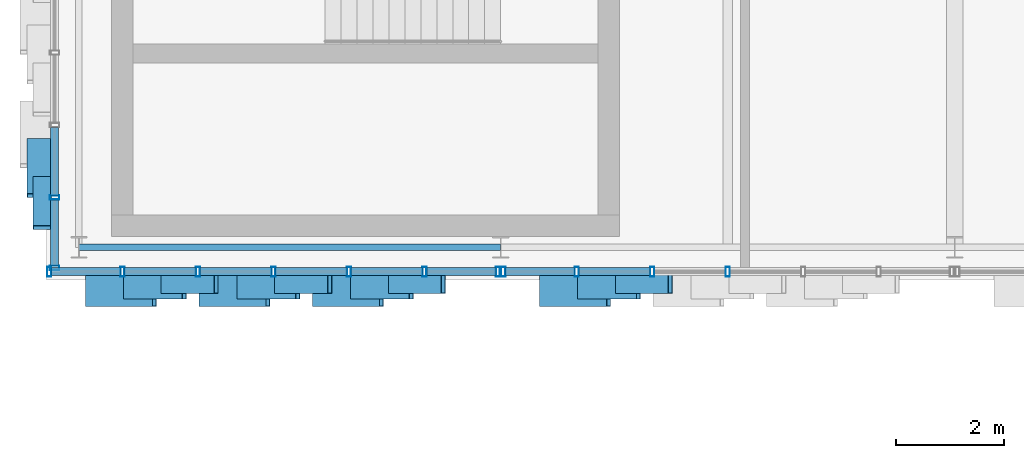
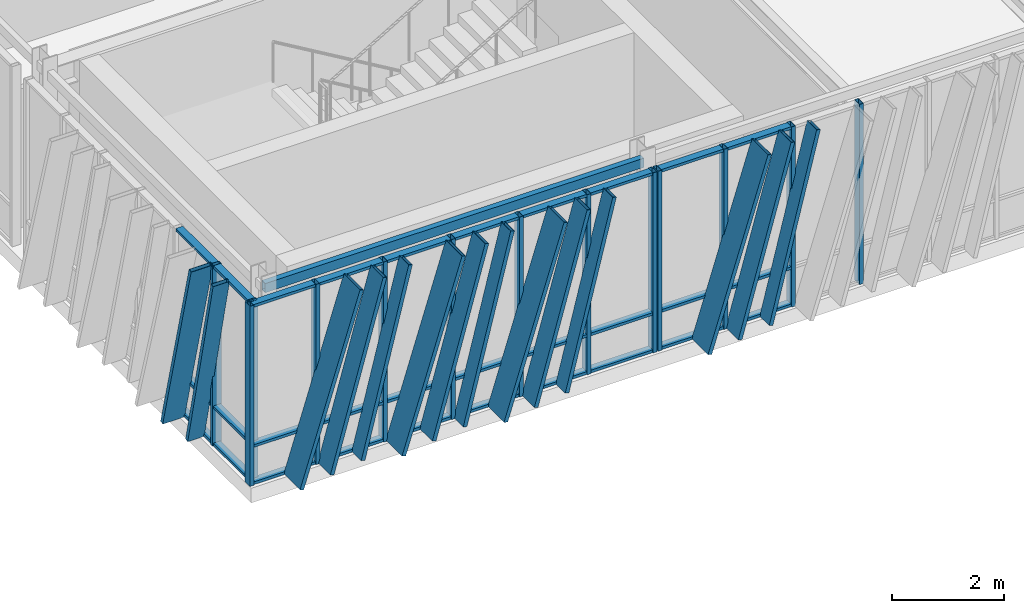
# One storey, part 21 of 127: 57 members, 1 beam, 3 elements without a shape of their own.
"""IFC4 building model written with IfcOpenShell, lengths in metres."""

import ifcopenshell
import ifcopenshell.guid

model = None  # the IFC model being written
_history = None  # IfcOwnerHistory: only IFC2X3 demands one
_inside = {}  # id of a spatial element -> (the spatial element, [elements in it])
_under = {}  # id of a project, library or spatial element -> (it, [spatial elements below it])
_declared = {}  # id of a project -> (the project, [libraries it declares])
_typed = {}  # id of a type object -> (the type object, [elements of that type])
_made_of = {}  # id of a material, layer set ... -> (it, [elements and type objects made of it])


def new_model(schema):
    """Start an empty IFC model of exactly this schema.

    Asked for "IFC4X3", IfcOpenShell would pick the latest addendum, in which some entities
    have other attributes; the version numbers below select the first issue.
    IFC2X3 requires an IfcOwnerHistory on every rooted entity: one is made here for all.
    """
    global model, _history
    if schema == "IFC4X3":
        model = ifcopenshell.file(schema_version=(4, 3, 0, 0))
    else:
        model = ifcopenshell.file(schema=schema)
    _inside.clear()
    _under.clear()
    _declared.clear()
    _typed.clear()
    _made_of.clear()
    _history = None
    if model.schema == "IFC2X3":
        org = make("IfcOrganization", Name="unknown")
        user = make(
            "IfcPersonAndOrganization",
            ThePerson=make("IfcPerson", FamilyName="unknown"),
            TheOrganization=org,
        )
        app = make(
            "IfcApplication",
            ApplicationDeveloper=org,
            Version="unknown",
            ApplicationFullName="unknown",
            ApplicationIdentifier="unknown",
        )
        _history = make(
            "IfcOwnerHistory",
            OwningUser=user,
            OwningApplication=app,
            ChangeAction="ADDED",
            CreationDate=0,
        )
    return model


def make(cls, **values):
    """One entity of the class cls with the attributes given. An attribute that is None is left unset."""
    return model.create_entity(
        cls, **{name: value for name, value in values.items() if value is not None}
    )


def rooted(cls, **values):
    """An entity with a GlobalId (a new one), such as an element, a storey or a relation."""
    return make(cls, GlobalId=ifcopenshell.guid.new(), OwnerHistory=_history, **values)


def si_unit(unit_type, name, prefix=None):
    """IfcSIUnit, for example si_unit("LENGTHUNIT", "METRE", prefix="MILLI")."""
    return make("IfcSIUnit", UnitType=unit_type, Prefix=prefix, Name=name)


def assignment(units):
    """IfcUnitAssignment: the units of a project."""
    return None if units is None else make("IfcUnitAssignment", Units=units)


def point(xyz):
    """IfcCartesianPoint."""
    return None if xyz is None else make("IfcCartesianPoint", Coordinates=xyz)


def direction(xyz):
    """IfcDirection."""
    return None if xyz is None else make("IfcDirection", DirectionRatios=xyz)


def frame(location, z_axis=None, x_axis=None):
    """IfcAxis2Placement3D, a coordinate frame: its origin and axes. An axis left out is left unset."""
    return make(
        "IfcAxis2Placement3D",
        Location=point(location),
        Axis=direction(z_axis),
        RefDirection=direction(x_axis),
    )


def frame_2d(location, x_axis=None):
    """IfcAxis2Placement2D, a coordinate frame in the plane: its origin and x axis."""
    return make(
        "IfcAxis2Placement2D", Location=point(location), RefDirection=direction(x_axis)
    )


def origin():
    """The frame at (0, 0, 0) with its axes left unset."""
    return frame((0.0, 0.0, 0.0))


def origin_2d():
    """The frame at (0, 0) in the plane with its x axis left unset."""
    return frame_2d((0.0, 0.0))


def place(relative_to, where):
    """IfcLocalPlacement: puts the frame where relative to a parent placement (None: the world)."""
    return make(
        "IfcLocalPlacement", PlacementRelTo=relative_to, RelativePlacement=where
    )


def context(
    kind, dimensions, precision=None, world=None, true_north=None, identifier=None
):
    """IfcGeometricRepresentationContext, for example the 3D "Model" context."""
    return make(
        "IfcGeometricRepresentationContext",
        ContextIdentifier=identifier,
        ContextType=kind,
        CoordinateSpaceDimension=dimensions,
        Precision=precision,
        WorldCoordinateSystem=world,
        TrueNorth=true_north,
    )


def subcontext(parent, identifier, kind, view, scale=None):
    """IfcGeometricRepresentationSubContext, for example "Body" below "Model"."""
    return make(
        "IfcGeometricRepresentationSubContext",
        ContextIdentifier=identifier,
        ContextType=kind,
        ParentContext=parent,
        TargetScale=scale,
        TargetView=view,
    )


def project(units=None, contexts=None):
    """IfcProject with its units and contexts."""
    return rooted(
        "IfcProject",
        Name="project",
        RepresentationContexts=contexts,
        UnitsInContext=assignment(units),
    )


def spatial(cls, under=None, at=None, **own):
    """A site, building, storey or space (cls), placed at a placement, below another one or the project."""
    s = rooted(cls, ObjectPlacement=at, **own)
    if under is not None:
        _under.setdefault(under.id(), (under, []))[1].append(s)
    return s


def profile(cls, at=None, kind="AREA", **sizes):
    """A parametric profile (cls). Its sizes go by their IFC names, for example OverallWidth=200.0."""
    return make(cls, ProfileType=kind, Position=at, **sizes)


def hollow_rectangle(**sizes):
    """IfcRectangleHollowProfileDef."""
    return profile("IfcRectangleHollowProfileDef", **sizes)


def extrude(swept, where, along, depth):
    """IfcExtrudedAreaSolid: the profile swept, set in the frame where, extruded along a direction by depth."""
    return make(
        "IfcExtrudedAreaSolid",
        SweptArea=swept,
        Position=where,
        ExtrudedDirection=direction(along),
        Depth=depth,
    )


def shape(context_of_items, identifier, shape_type, items):
    """IfcShapeRepresentation: the items that make up one representation, for example the "Body"."""
    return make(
        "IfcShapeRepresentation",
        ContextOfItems=context_of_items,
        RepresentationIdentifier=identifier,
        RepresentationType=shape_type,
        Items=items,
    )


def material(Name=None, Category=None):
    """IfcMaterial."""
    return make("IfcMaterial", Name=Name, Category=Category)


def layer(
    of_material, thickness, ventilated=None, Name=None, Category=None, Priority=None
):
    """IfcMaterialLayer: one layer of a wall or slab, of a material (None: an air gap)."""
    return make(
        "IfcMaterialLayer",
        Material=of_material,
        LayerThickness=thickness,
        IsVentilated=ventilated,
        Name=Name,
        Category=Category,
        Priority=Priority,
    )


def layer_set(layers, Name=None):
    """IfcMaterialLayerSet."""
    return make("IfcMaterialLayerSet", MaterialLayers=layers, LayerSetName=Name)


def material_profile(
    of_material, cross_section, Name=None, Category=None, Priority=None
):
    """IfcMaterialProfile: a cross section and its material."""
    return make(
        "IfcMaterialProfile",
        Name=Name,
        Material=of_material,
        Profile=cross_section,
        Priority=Priority,
        Category=Category,
    )


def profile_set(profiles, Name=None, composite=None):
    """IfcMaterialProfileSet."""
    return make(
        "IfcMaterialProfileSet",
        Name=Name,
        MaterialProfiles=profiles,
        CompositeProfile=composite,
    )


def made_of(thing, what):
    """Note that an element or type object is made of a material, layer set ...; save() writes the relation."""
    if what is not None:
        _made_of.setdefault(what.id(), (what, []))[1].append(thing)
    return thing


def type_object(cls, material=None, **own):
    """A type object (cls), such as IfcWallType, which elements share."""
    return made_of(rooted(cls, **own), material)


def element(
    cls,
    number,
    at=None,
    inside=None,
    cuts=None,
    type_object=None,
    material=None,
    context=None,
    identifier="Body",
    shape_type=None,
    held_by="IfcProductDefinitionShape",
    body=None,
    shapes=None,
    **own,
):
    """One element of the class cls, such as IfcWall. Its Tag is "e" and its number.

    at: its placement. inside: the storey or other place that contains it. cuts: it is an
    opening in that element (IfcRelVoidsElement). A single representation is given by context,
    identifier, shape_type and body (its items); several are given by shapes. held_by: the class
    of the entity that holds the representations. save() writes the other relations.
    """
    e = rooted(cls, Tag="e%d" % number, ObjectPlacement=at, **own)
    if body is not None:
        shapes = [shape(context, identifier, shape_type, body)]
    if shapes is not None:
        e.Representation = make(held_by, Representations=shapes)
    if inside is not None:
        _inside.setdefault(inside.id(), (inside, []))[1].append(e)
    if cuts is not None:
        rooted(
            "IfcRelVoidsElement", RelatingBuildingElement=cuts, RelatedOpeningElement=e
        )
    if type_object is not None:
        _typed.setdefault(type_object.id(), (type_object, []))[1].append(e)
    return made_of(e, material)


def aggregate(whole, parts):
    """IfcRelAggregates: a whole, such as a stair, and the parts it consists of."""
    return rooted("IfcRelAggregates", RelatingObject=whole, RelatedObjects=parts)


def save(model, path):
    """Write the relations noted so far, then the file.

    IfcRelAggregates (storeys below a building ...), IfcRelContainedInSpatialStructure (elements
    in a storey), IfcRelDefinesByType, IfcRelAssociatesMaterial and IfcRelDeclares: one each for
    every whole, place, type object, material and project.
    """
    for whole, parts in _under.values():
        aggregate(whole, parts)
    for where, things in _inside.values():
        rooted(
            "IfcRelContainedInSpatialStructure",
            RelatedElements=things,
            RelatingStructure=where,
        )
    for kind, things in _typed.values():
        rooted("IfcRelDefinesByType", RelatedObjects=things, RelatingType=kind)
    for what, things in _made_of.values():
        rooted("IfcRelAssociatesMaterial", RelatedObjects=things, RelatingMaterial=what)
    for by, libraries in _declared.values():
        rooted("IfcRelDeclares", RelatingContext=by, RelatedDefinitions=libraries)
    model.write(path)


model = new_model("IFC4")

# Units and contexts
model_context = context("Model", 3, precision=1e-05, world=origin(), true_north=direction((0.0, 1.0)))
body_context = subcontext(model_context, "Body", "Model", "MODEL_VIEW")
ifc_project = project(units=[si_unit("LENGTHUNIT", "METRE"), si_unit("AREAUNIT", "SQUARE_METRE"), si_unit("VOLUMEUNIT", "CUBIC_METRE"), si_unit("PLANEANGLEUNIT", "RADIAN"), si_unit("MASSUNIT", "GRAM", prefix="KILO")], contexts=[model_context])

# Site, building, storey
site_placement = place(None, origin())
site = spatial("IfcSite", under=ifc_project, at=site_placement, CompositionType="ELEMENT")
building_placement = place(site_placement, origin())
building = spatial("IfcBuilding", under=site, at=building_placement, Name="Zayran Congress Hotel", CompositionType="ELEMENT")
storey_placement = place(building_placement, frame((0.0, 0.0, 10.800048828125)))
storey = spatial("IfcBuildingStorey", under=building, at=storey_placement, Name="L02", CompositionType="ELEMENT", Elevation=10.800048828125)

# Beam
ifc_material_1 = material(Name="Steel S355", Category="steel")
ifc_material_profile_1 = material_profile(ifc_material_1, hollow_rectangle(XDim=0.1201171875, YDim=0.199951171875, WallThickness=0.008056640625, at=origin_2d()), Name="RHS 200x120x8")
ifc_profile_set_1 = profile_set([ifc_material_profile_1], Name="Steel S355")
beam_type = type_object("IfcBeamType", Name="TP-SP-02", PredefinedType="SPANDREL", material=ifc_profile_set_1)
beam_placement = place(storey_placement, frame((9.0, 68.199951171875, 3.820068359375), z_axis=(1.0, 0.0, 0.0), x_axis=(0.0, 1.0, 0.0)))
element("IfcBeam", 1, at=beam_placement, inside=storey, type_object=beam_type, Name="BM-V1-L02-0652", PredefinedType="SPANDREL", context=body_context, shape_type="SweptSolid", body=[
    extrude(hollow_rectangle(XDim=0.1201171875, YDim=0.199951171875, WallThickness=0.008056640625, at=origin_2d()), origin(), (0.0, 0.0, 1.0), 7.800048828125),
])

# Curtain wall, members
ifc_material_2 = material(Name="Anodised aluminium and low-E insulated glass", Category="aluminium")
ifc_layer_1 = layer(ifc_material_2, 0.179931640625)
ifc_layer_set_1 = layer_set([ifc_layer_1], Name="Anodised aluminium and low-E insulated glass")
curtain_wall_type_1 = type_object("IfcCurtainWallType", Name="CW-V1S-L02-CW-11-8380-3920", PredefinedType="USERDEFINED", material=ifc_layer_set_1)
curtain_wall_1_placement = place(storey_placement, origin())
curtain_wall_1 = element("IfcCurtainWall", 2, at=curtain_wall_1_placement, inside=storey, type_object=curtain_wall_type_1, Name="CW-V1S-L02-0", ObjectType="CURTAIN WALL", PredefinedType="USERDEFINED")
ifc_material_3 = material(Name="Anodised aluminium framing", Category="aluminium")
ifc_material_profile_2 = material_profile(ifc_material_3, hollow_rectangle(XDim=0.080078125, YDim=0.179931640625, WallThickness=0.0048828125, at=origin_2d()), Name="RHS 180x80x5")
ifc_profile_set_2 = profile_set([ifc_material_profile_2], Name="Anodised aluminium framing")
member_type_1 = type_object("IfcMemberType", Name="TP-CWM-01", PredefinedType="MULLION", material=ifc_profile_set_2)
member_1_placement = place(storey_placement, frame((8.449951171875, 67.75, 0.0), z_axis=(0.0, 0.0, 1.0), x_axis=(1.0, 0.0, 0.0)))
member_1 = element("IfcMember", 3, at=member_1_placement, type_object=member_type_1, Name="CW-V1S-L02-0-M00", PredefinedType="MULLION", context=body_context, shape_type="SweptSolid", body=[
    extrude(hollow_rectangle(XDim=0.080078125, YDim=0.179931640625, WallThickness=0.0048828125, at=origin_2d()), origin(), (0.0, 0.0, 1.0), 3.919921875),
])
member_2_placement = place(storey_placement, frame((9.806640625, 67.75, 0.0), z_axis=(0.0, 0.0, 1.0), x_axis=(1.0, 0.0, 0.0)))
member_2 = element("IfcMember", 4, at=member_2_placement, type_object=member_type_1, Name="CW-V1S-L02-0-M01", PredefinedType="MULLION", context=body_context, shape_type="SweptSolid", body=[
    extrude(hollow_rectangle(XDim=0.080078125, YDim=0.179931640625, WallThickness=0.0048828125, at=origin_2d()), origin(), (0.0, 0.0, 1.0), 3.919921875),
])
member_3_placement = place(storey_placement, frame((11.203369140625, 67.75, 0.0), z_axis=(0.0, 0.0, 1.0), x_axis=(1.0, 0.0, 0.0)))
member_3 = element("IfcMember", 5, at=member_3_placement, type_object=member_type_1, Name="CW-V1S-L02-0-M02", PredefinedType="MULLION", context=body_context, shape_type="SweptSolid", body=[
    extrude(hollow_rectangle(XDim=0.080078125, YDim=0.179931640625, WallThickness=0.0048828125, at=origin_2d()), origin(), (0.0, 0.0, 1.0), 3.919921875),
])
member_4_placement = place(storey_placement, frame((12.60009765625, 67.75, 0.0), z_axis=(0.0, 0.0, 1.0), x_axis=(1.0, 0.0, 0.0)))
member_4 = element("IfcMember", 6, at=member_4_placement, type_object=member_type_1, Name="CW-V1S-L02-0-M03", PredefinedType="MULLION", context=body_context, shape_type="SweptSolid", body=[
    extrude(hollow_rectangle(XDim=0.080078125, YDim=0.179931640625, WallThickness=0.0048828125, at=origin_2d()), origin(), (0.0, 0.0, 1.0), 3.919921875),
])
member_5_placement = place(storey_placement, frame((13.99658203125, 67.75, 0.0), z_axis=(0.0, 0.0, 1.0), x_axis=(1.0, 0.0, 0.0)))
member_5 = element("IfcMember", 7, at=member_5_placement, type_object=member_type_1, Name="CW-V1S-L02-0-M04", PredefinedType="MULLION", context=body_context, shape_type="SweptSolid", body=[
    extrude(hollow_rectangle(XDim=0.080078125, YDim=0.179931640625, WallThickness=0.0048828125, at=origin_2d()), origin(), (0.0, 0.0, 1.0), 3.919921875),
])
member_6_placement = place(storey_placement, frame((15.393310546875, 67.75, 0.0), z_axis=(0.0, 0.0, 1.0), x_axis=(1.0, 0.0, 0.0)))
member_6 = element("IfcMember", 8, at=member_6_placement, type_object=member_type_1, Name="CW-V1S-L02-0-M05", PredefinedType="MULLION", context=body_context, shape_type="SweptSolid", body=[
    extrude(hollow_rectangle(XDim=0.080078125, YDim=0.179931640625, WallThickness=0.0048828125, at=origin_2d()), origin(), (0.0, 0.0, 1.0), 3.919921875),
])
member_7_placement = place(storey_placement, frame((16.75, 67.75, 0.0), z_axis=(0.0, 0.0, 1.0), x_axis=(1.0, 0.0, 0.0)))
member_7 = element("IfcMember", 9, at=member_7_placement, type_object=member_type_1, Name="CW-V1S-L02-0-M06", PredefinedType="MULLION", context=body_context, shape_type="SweptSolid", body=[
    extrude(hollow_rectangle(XDim=0.080078125, YDim=0.179931640625, WallThickness=0.0048828125, at=origin_2d()), origin(), (0.0, 0.0, 1.0), 3.919921875),
])

ifc_layer_2 = layer(ifc_material_2, 0.179931640625)
ifc_layer_set_2 = layer_set([ifc_layer_2], Name="Anodised aluminium and low-E insulated glass")
curtain_wall_type_2 = type_object("IfcCurtainWallType", Name="CW-V1S-L02-CW-12-8380-3920", PredefinedType="USERDEFINED", material=ifc_layer_set_2)
curtain_wall_2_placement = place(storey_placement, origin())
curtain_wall_2 = element("IfcCurtainWall", 10, at=curtain_wall_2_placement, inside=storey, type_object=curtain_wall_type_2, Name="CW-V1S-L02-1", ObjectType="CURTAIN WALL", PredefinedType="USERDEFINED")
member_8_placement = place(storey_placement, frame((16.85009765625, 67.75, 0.0), z_axis=(0.0, 0.0, 1.0), x_axis=(1.0, 0.0, 0.0)))
member_8 = element("IfcMember", 11, at=member_8_placement, type_object=member_type_1, Name="CW-V1S-L02-1-M00", PredefinedType="MULLION", context=body_context, shape_type="SweptSolid", body=[
    extrude(hollow_rectangle(XDim=0.080078125, YDim=0.179931640625, WallThickness=0.0048828125, at=origin_2d()), origin(), (0.0, 0.0, 1.0), 3.919921875),
])
member_9_placement = place(storey_placement, frame((18.206787109375, 67.75, 0.0), z_axis=(0.0, 0.0, 1.0), x_axis=(1.0, 0.0, 0.0)))
member_9 = element("IfcMember", 12, at=member_9_placement, type_object=member_type_1, Name="CW-V1S-L02-1-M01", PredefinedType="MULLION", context=body_context, shape_type="SweptSolid", body=[
    extrude(hollow_rectangle(XDim=0.080078125, YDim=0.179931640625, WallThickness=0.0048828125, at=origin_2d()), origin(), (0.0, 0.0, 1.0), 3.919921875),
])
member_10_placement = place(storey_placement, frame((19.603271484375, 67.75, 0.0), z_axis=(0.0, 0.0, 1.0), x_axis=(1.0, 0.0, 0.0)))
member_10 = element("IfcMember", 13, at=member_10_placement, type_object=member_type_1, Name="CW-V1S-L02-1-M02", PredefinedType="MULLION", context=body_context, shape_type="SweptSolid", body=[
    extrude(hollow_rectangle(XDim=0.080078125, YDim=0.179931640625, WallThickness=0.0048828125, at=origin_2d()), origin(), (0.0, 0.0, 1.0), 3.919921875),
])
member_11_placement = place(storey_placement, frame((21.0, 67.75, 0.0), z_axis=(0.0, 0.0, 1.0), x_axis=(1.0, 0.0, 0.0)))
member_11 = element("IfcMember", 14, at=member_11_placement, type_object=member_type_1, Name="CW-V1S-L02-1-M03", PredefinedType="MULLION", context=body_context, shape_type="SweptSolid", body=[
    extrude(hollow_rectangle(XDim=0.080078125, YDim=0.179931640625, WallThickness=0.0048828125, at=origin_2d()), origin(), (0.0, 0.0, 1.0), 3.919921875),
])

ifc_layer_3 = layer(ifc_material_2, 0.179931640625)
ifc_layer_set_3 = layer_set([ifc_layer_3], Name="Anodised aluminium and low-E insulated glass")
curtain_wall_type_3 = type_object("IfcCurtainWallType", Name="CW-V1W-L02-CW-31-8040-3920", PredefinedType="USERDEFINED", material=ifc_layer_set_3)
curtain_wall_3_placement = place(storey_placement, origin())
curtain_wall_3 = element("IfcCurtainWall", 15, at=curtain_wall_3_placement, inside=storey, type_object=curtain_wall_type_3, Name="CW-V1W-L02-0", ObjectType="CURTAIN WALL", PredefinedType="USERDEFINED")
member_12_placement = place(storey_placement, frame((8.550048828125, 69.1201171875, 0.0), z_axis=(0.0, 0.0, 1.0), x_axis=(0.0, 1.0, 0.0)))
member_12 = element("IfcMember", 16, at=member_12_placement, type_object=member_type_1, Name="CW-V1W-L02-0-M05", PredefinedType="MULLION", context=body_context, shape_type="SweptSolid", body=[
    extrude(hollow_rectangle(XDim=0.080078125, YDim=0.179931640625, WallThickness=0.0048828125, at=origin_2d()), origin(), (0.0, 0.0, 1.0), 3.919921875),
])
member_13_placement = place(storey_placement, frame((8.550048828125, 67.820068359375, 0.0), z_axis=(0.0, 0.0, 1.0), x_axis=(0.0, 1.0, 0.0)))
member_13 = element("IfcMember", 17, at=member_13_placement, type_object=member_type_1, Name="CW-V1W-L02-0-M06", PredefinedType="MULLION", context=body_context, shape_type="SweptSolid", body=[
    extrude(hollow_rectangle(XDim=0.080078125, YDim=0.179931640625, WallThickness=0.0048828125, at=origin_2d()), origin(), (0.0, 0.0, 1.0), 3.919921875),
])

# Member
ifc_material_profile_3 = material_profile(ifc_material_3, hollow_rectangle(XDim=0.06005859375, YDim=0.14990234375, WallThickness=0.00390625, at=origin_2d()), Name="RHS 150x60x4")
ifc_profile_set_3 = profile_set([ifc_material_profile_3], Name="Anodised aluminium framing")
member_type_2 = type_object("IfcMemberType", Name="TP-CWT-01", PredefinedType="USERDEFINED", material=ifc_profile_set_3)
member_14_placement = place(storey_placement, frame((8.489990234375, 67.75, 0.030029296875), z_axis=(1.0, 0.0, 0.0), x_axis=(0.0, 0.0, 1.0)))
member_14 = element("IfcMember", 18, at=member_14_placement, type_object=member_type_2, Name="CW-V1S-L02-0-T00-0", ObjectType="TRANSOM", PredefinedType="USERDEFINED", context=body_context, shape_type="SweptSolid", body=[
    extrude(hollow_rectangle(XDim=0.06005859375, YDim=0.14990234375, WallThickness=0.00390625, at=origin_2d()), origin(), (0.0, 0.0, 1.0), 1.276611328125),
])

member_15_placement = place(storey_placement, frame((8.489990234375, 67.75, 0.83984375), z_axis=(1.0, 0.0, 0.0), x_axis=(0.0, 0.0, 1.0)))
member_15 = element("IfcMember", 19, at=member_15_placement, type_object=member_type_2, Name="CW-V1S-L02-0-T00-1", ObjectType="TRANSOM", PredefinedType="USERDEFINED", context=body_context, shape_type="SweptSolid", body=[
    extrude(hollow_rectangle(XDim=0.06005859375, YDim=0.14990234375, WallThickness=0.00390625, at=origin_2d()), origin(), (0.0, 0.0, 1.0), 1.276611328125),
])

member_16_placement = place(storey_placement, frame((8.489990234375, 67.75, 3.889892578125), z_axis=(1.0, 0.0, 0.0), x_axis=(0.0, 0.0, 1.0)))
member_16 = element("IfcMember", 20, at=member_16_placement, type_object=member_type_2, Name="CW-V1S-L02-0-T00-2", ObjectType="TRANSOM", PredefinedType="USERDEFINED", context=body_context, shape_type="SweptSolid", body=[
    extrude(hollow_rectangle(XDim=0.06005859375, YDim=0.14990234375, WallThickness=0.00390625, at=origin_2d()), origin(), (0.0, 0.0, 1.0), 1.276611328125),
])

member_17_placement = place(storey_placement, frame((9.8466796875, 67.75, 0.030029296875), z_axis=(1.0, 0.0, 0.0), x_axis=(0.0, 0.0, 1.0)))
member_17 = element("IfcMember", 21, at=member_17_placement, type_object=member_type_2, Name="CW-V1S-L02-0-T01-0", ObjectType="TRANSOM", PredefinedType="USERDEFINED", context=body_context, shape_type="SweptSolid", body=[
    extrude(hollow_rectangle(XDim=0.06005859375, YDim=0.14990234375, WallThickness=0.00390625, at=origin_2d()), origin(), (0.0, 0.0, 1.0), 1.316650390625),
])

member_18_placement = place(storey_placement, frame((9.8466796875, 67.75, 0.83984375), z_axis=(1.0, 0.0, 0.0), x_axis=(0.0, 0.0, 1.0)))
member_18 = element("IfcMember", 22, at=member_18_placement, type_object=member_type_2, Name="CW-V1S-L02-0-T01-1", ObjectType="TRANSOM", PredefinedType="USERDEFINED", context=body_context, shape_type="SweptSolid", body=[
    extrude(hollow_rectangle(XDim=0.06005859375, YDim=0.14990234375, WallThickness=0.00390625, at=origin_2d()), origin(), (0.0, 0.0, 1.0), 1.316650390625),
])

member_19_placement = place(storey_placement, frame((9.8466796875, 67.75, 3.889892578125), z_axis=(1.0, 0.0, 0.0), x_axis=(0.0, 0.0, 1.0)))
member_19 = element("IfcMember", 23, at=member_19_placement, type_object=member_type_2, Name="CW-V1S-L02-0-T01-2", ObjectType="TRANSOM", PredefinedType="USERDEFINED", context=body_context, shape_type="SweptSolid", body=[
    extrude(hollow_rectangle(XDim=0.06005859375, YDim=0.14990234375, WallThickness=0.00390625, at=origin_2d()), origin(), (0.0, 0.0, 1.0), 1.316650390625),
])

member_20_placement = place(storey_placement, frame((11.243408203125, 67.75, 0.030029296875), z_axis=(1.0, 0.0, 0.0), x_axis=(0.0, 0.0, 1.0)))
member_20 = element("IfcMember", 24, at=member_20_placement, type_object=member_type_2, Name="CW-V1S-L02-0-T02-0", ObjectType="TRANSOM", PredefinedType="USERDEFINED", context=body_context, shape_type="SweptSolid", body=[
    extrude(hollow_rectangle(XDim=0.06005859375, YDim=0.14990234375, WallThickness=0.00390625, at=origin_2d()), origin(), (0.0, 0.0, 1.0), 1.316650390625),
])

member_21_placement = place(storey_placement, frame((11.243408203125, 67.75, 0.83984375), z_axis=(1.0, 0.0, 0.0), x_axis=(0.0, 0.0, 1.0)))
member_21 = element("IfcMember", 25, at=member_21_placement, type_object=member_type_2, Name="CW-V1S-L02-0-T02-1", ObjectType="TRANSOM", PredefinedType="USERDEFINED", context=body_context, shape_type="SweptSolid", body=[
    extrude(hollow_rectangle(XDim=0.06005859375, YDim=0.14990234375, WallThickness=0.00390625, at=origin_2d()), origin(), (0.0, 0.0, 1.0), 1.316650390625),
])

member_22_placement = place(storey_placement, frame((11.243408203125, 67.75, 3.889892578125), z_axis=(1.0, 0.0, 0.0), x_axis=(0.0, 0.0, 1.0)))
member_22 = element("IfcMember", 26, at=member_22_placement, type_object=member_type_2, Name="CW-V1S-L02-0-T02-2", ObjectType="TRANSOM", PredefinedType="USERDEFINED", context=body_context, shape_type="SweptSolid", body=[
    extrude(hollow_rectangle(XDim=0.06005859375, YDim=0.14990234375, WallThickness=0.00390625, at=origin_2d()), origin(), (0.0, 0.0, 1.0), 1.316650390625),
])

member_23_placement = place(storey_placement, frame((12.639892578125, 67.75, 0.030029296875), z_axis=(1.0, 0.0, 0.0), x_axis=(0.0, 0.0, 1.0)))
member_23 = element("IfcMember", 27, at=member_23_placement, type_object=member_type_2, Name="CW-V1S-L02-0-T03-0", ObjectType="TRANSOM", PredefinedType="USERDEFINED", context=body_context, shape_type="SweptSolid", body=[
    extrude(hollow_rectangle(XDim=0.06005859375, YDim=0.14990234375, WallThickness=0.00390625, at=origin_2d()), origin(), (0.0, 0.0, 1.0), 1.31689453125),
])

member_24_placement = place(storey_placement, frame((12.639892578125, 67.75, 0.83984375), z_axis=(1.0, 0.0, 0.0), x_axis=(0.0, 0.0, 1.0)))
member_24 = element("IfcMember", 28, at=member_24_placement, type_object=member_type_2, Name="CW-V1S-L02-0-T03-1", ObjectType="TRANSOM", PredefinedType="USERDEFINED", context=body_context, shape_type="SweptSolid", body=[
    extrude(hollow_rectangle(XDim=0.06005859375, YDim=0.14990234375, WallThickness=0.00390625, at=origin_2d()), origin(), (0.0, 0.0, 1.0), 1.31689453125),
])

member_25_placement = place(storey_placement, frame((12.639892578125, 67.75, 3.889892578125), z_axis=(1.0, 0.0, 0.0), x_axis=(0.0, 0.0, 1.0)))
member_25 = element("IfcMember", 29, at=member_25_placement, type_object=member_type_2, Name="CW-V1S-L02-0-T03-2", ObjectType="TRANSOM", PredefinedType="USERDEFINED", context=body_context, shape_type="SweptSolid", body=[
    extrude(hollow_rectangle(XDim=0.06005859375, YDim=0.14990234375, WallThickness=0.00390625, at=origin_2d()), origin(), (0.0, 0.0, 1.0), 1.31689453125),
])

member_26_placement = place(storey_placement, frame((14.03662109375, 67.75, 0.030029296875), z_axis=(1.0, 0.0, 0.0), x_axis=(0.0, 0.0, 1.0)))
member_26 = element("IfcMember", 30, at=member_26_placement, type_object=member_type_2, Name="CW-V1S-L02-0-T04-0", ObjectType="TRANSOM", PredefinedType="USERDEFINED", context=body_context, shape_type="SweptSolid", body=[
    extrude(hollow_rectangle(XDim=0.06005859375, YDim=0.14990234375, WallThickness=0.00390625, at=origin_2d()), origin(), (0.0, 0.0, 1.0), 1.316650390625),
])

member_27_placement = place(storey_placement, frame((14.03662109375, 67.75, 0.83984375), z_axis=(1.0, 0.0, 0.0), x_axis=(0.0, 0.0, 1.0)))
member_27 = element("IfcMember", 31, at=member_27_placement, type_object=member_type_2, Name="CW-V1S-L02-0-T04-1", ObjectType="TRANSOM", PredefinedType="USERDEFINED", context=body_context, shape_type="SweptSolid", body=[
    extrude(hollow_rectangle(XDim=0.06005859375, YDim=0.14990234375, WallThickness=0.00390625, at=origin_2d()), origin(), (0.0, 0.0, 1.0), 1.316650390625),
])

member_28_placement = place(storey_placement, frame((14.03662109375, 67.75, 3.889892578125), z_axis=(1.0, 0.0, 0.0), x_axis=(0.0, 0.0, 1.0)))
member_28 = element("IfcMember", 32, at=member_28_placement, type_object=member_type_2, Name="CW-V1S-L02-0-T04-2", ObjectType="TRANSOM", PredefinedType="USERDEFINED", context=body_context, shape_type="SweptSolid", body=[
    extrude(hollow_rectangle(XDim=0.06005859375, YDim=0.14990234375, WallThickness=0.00390625, at=origin_2d()), origin(), (0.0, 0.0, 1.0), 1.316650390625),
])

member_29_placement = place(storey_placement, frame((15.433349609375, 67.75, 0.030029296875), z_axis=(1.0, 0.0, 0.0), x_axis=(0.0, 0.0, 1.0)))
member_29 = element("IfcMember", 33, at=member_29_placement, type_object=member_type_2, Name="CW-V1S-L02-0-T05-0", ObjectType="TRANSOM", PredefinedType="USERDEFINED", context=body_context, shape_type="SweptSolid", body=[
    extrude(hollow_rectangle(XDim=0.06005859375, YDim=0.14990234375, WallThickness=0.00390625, at=origin_2d()), origin(), (0.0, 0.0, 1.0), 1.276611328125),
])

member_30_placement = place(storey_placement, frame((15.433349609375, 67.75, 0.83984375), z_axis=(1.0, 0.0, 0.0), x_axis=(0.0, 0.0, 1.0)))
member_30 = element("IfcMember", 34, at=member_30_placement, type_object=member_type_2, Name="CW-V1S-L02-0-T05-1", ObjectType="TRANSOM", PredefinedType="USERDEFINED", context=body_context, shape_type="SweptSolid", body=[
    extrude(hollow_rectangle(XDim=0.06005859375, YDim=0.14990234375, WallThickness=0.00390625, at=origin_2d()), origin(), (0.0, 0.0, 1.0), 1.276611328125),
])

member_31_placement = place(storey_placement, frame((15.433349609375, 67.75, 3.889892578125), z_axis=(1.0, 0.0, 0.0), x_axis=(0.0, 0.0, 1.0)))
member_31 = element("IfcMember", 35, at=member_31_placement, type_object=member_type_2, Name="CW-V1S-L02-0-T05-2", ObjectType="TRANSOM", PredefinedType="USERDEFINED", context=body_context, shape_type="SweptSolid", body=[
    extrude(hollow_rectangle(XDim=0.06005859375, YDim=0.14990234375, WallThickness=0.00390625, at=origin_2d()), origin(), (0.0, 0.0, 1.0), 1.276611328125),
])

member_32_placement = place(storey_placement, frame((16.889892578125, 67.75, 0.030029296875), z_axis=(1.0, 0.0, 0.0), x_axis=(0.0, 0.0, 1.0)))
member_32 = element("IfcMember", 36, at=member_32_placement, type_object=member_type_2, Name="CW-V1S-L02-1-T00-0", ObjectType="TRANSOM", PredefinedType="USERDEFINED", context=body_context, shape_type="SweptSolid", body=[
    extrude(hollow_rectangle(XDim=0.06005859375, YDim=0.14990234375, WallThickness=0.00390625, at=origin_2d()), origin(), (0.0, 0.0, 1.0), 1.27685546875),
])

member_33_placement = place(storey_placement, frame((16.889892578125, 67.75, 0.83984375), z_axis=(1.0, 0.0, 0.0), x_axis=(0.0, 0.0, 1.0)))
member_33 = element("IfcMember", 37, at=member_33_placement, type_object=member_type_2, Name="CW-V1S-L02-1-T00-1", ObjectType="TRANSOM", PredefinedType="USERDEFINED", context=body_context, shape_type="SweptSolid", body=[
    extrude(hollow_rectangle(XDim=0.06005859375, YDim=0.14990234375, WallThickness=0.00390625, at=origin_2d()), origin(), (0.0, 0.0, 1.0), 1.27685546875),
])

member_34_placement = place(storey_placement, frame((16.889892578125, 67.75, 3.889892578125), z_axis=(1.0, 0.0, 0.0), x_axis=(0.0, 0.0, 1.0)))
member_34 = element("IfcMember", 38, at=member_34_placement, type_object=member_type_2, Name="CW-V1S-L02-1-T00-2", ObjectType="TRANSOM", PredefinedType="USERDEFINED", context=body_context, shape_type="SweptSolid", body=[
    extrude(hollow_rectangle(XDim=0.06005859375, YDim=0.14990234375, WallThickness=0.00390625, at=origin_2d()), origin(), (0.0, 0.0, 1.0), 1.27685546875),
])

member_35_placement = place(storey_placement, frame((18.24658203125, 67.75, 0.030029296875), z_axis=(1.0, 0.0, 0.0), x_axis=(0.0, 0.0, 1.0)))
member_35 = element("IfcMember", 39, at=member_35_placement, type_object=member_type_2, Name="CW-V1S-L02-1-T01-0", ObjectType="TRANSOM", PredefinedType="USERDEFINED", context=body_context, shape_type="SweptSolid", body=[
    extrude(hollow_rectangle(XDim=0.06005859375, YDim=0.14990234375, WallThickness=0.00390625, at=origin_2d()), origin(), (0.0, 0.0, 1.0), 1.316650390625),
])

member_36_placement = place(storey_placement, frame((18.24658203125, 67.75, 0.83984375), z_axis=(1.0, 0.0, 0.0), x_axis=(0.0, 0.0, 1.0)))
member_36 = element("IfcMember", 40, at=member_36_placement, type_object=member_type_2, Name="CW-V1S-L02-1-T01-1", ObjectType="TRANSOM", PredefinedType="USERDEFINED", context=body_context, shape_type="SweptSolid", body=[
    extrude(hollow_rectangle(XDim=0.06005859375, YDim=0.14990234375, WallThickness=0.00390625, at=origin_2d()), origin(), (0.0, 0.0, 1.0), 1.316650390625),
])

member_37_placement = place(storey_placement, frame((18.24658203125, 67.75, 3.889892578125), z_axis=(1.0, 0.0, 0.0), x_axis=(0.0, 0.0, 1.0)))
member_37 = element("IfcMember", 41, at=member_37_placement, type_object=member_type_2, Name="CW-V1S-L02-1-T01-2", ObjectType="TRANSOM", PredefinedType="USERDEFINED", context=body_context, shape_type="SweptSolid", body=[
    extrude(hollow_rectangle(XDim=0.06005859375, YDim=0.14990234375, WallThickness=0.00390625, at=origin_2d()), origin(), (0.0, 0.0, 1.0), 1.316650390625),
])

member_38_placement = place(storey_placement, frame((8.550048828125, 70.419921875, 0.030029296875), z_axis=(0.0, -1.0, 0.0), x_axis=(0.0, 0.0, 1.0)))
member_38 = element("IfcMember", 42, at=member_38_placement, type_object=member_type_2, Name="CW-V1W-L02-0-T04-0", ObjectType="TRANSOM", PredefinedType="USERDEFINED", context=body_context, shape_type="SweptSolid", body=[
    extrude(hollow_rectangle(XDim=0.06005859375, YDim=0.14990234375, WallThickness=0.00390625, at=origin_2d()), origin(), (0.0, 0.0, 1.0), 1.260009765625),
])

member_39_placement = place(storey_placement, frame((8.550048828125, 70.419921875, 0.83984375), z_axis=(0.0, -1.0, 0.0), x_axis=(0.0, 0.0, 1.0)))
member_39 = element("IfcMember", 43, at=member_39_placement, type_object=member_type_2, Name="CW-V1W-L02-0-T04-1", ObjectType="TRANSOM", PredefinedType="USERDEFINED", context=body_context, shape_type="SweptSolid", body=[
    extrude(hollow_rectangle(XDim=0.06005859375, YDim=0.14990234375, WallThickness=0.00390625, at=origin_2d()), origin(), (0.0, 0.0, 1.0), 1.260009765625),
])

member_40_placement = place(storey_placement, frame((8.550048828125, 70.419921875, 3.889892578125), z_axis=(0.0, -1.0, 0.0), x_axis=(0.0, 0.0, 1.0)))
member_40 = element("IfcMember", 44, at=member_40_placement, type_object=member_type_2, Name="CW-V1W-L02-0-T04-2", ObjectType="TRANSOM", PredefinedType="USERDEFINED", context=body_context, shape_type="SweptSolid", body=[
    extrude(hollow_rectangle(XDim=0.06005859375, YDim=0.14990234375, WallThickness=0.00390625, at=origin_2d()), origin(), (0.0, 0.0, 1.0), 1.260009765625),
])

member_41_placement = place(storey_placement, frame((8.550048828125, 69.080078125, 0.030029296875), z_axis=(0.0, -1.0, 0.0), x_axis=(0.0, 0.0, 1.0)))
member_41 = element("IfcMember", 45, at=member_41_placement, type_object=member_type_2, Name="CW-V1W-L02-0-T05-0", ObjectType="TRANSOM", PredefinedType="USERDEFINED", context=body_context, shape_type="SweptSolid", body=[
    extrude(hollow_rectangle(XDim=0.06005859375, YDim=0.14990234375, WallThickness=0.00390625, at=origin_2d()), origin(), (0.0, 0.0, 1.0), 1.219970703125),
])

member_42_placement = place(storey_placement, frame((8.550048828125, 69.080078125, 0.83984375), z_axis=(0.0, -1.0, 0.0), x_axis=(0.0, 0.0, 1.0)))
member_42 = element("IfcMember", 46, at=member_42_placement, type_object=member_type_2, Name="CW-V1W-L02-0-T05-1", ObjectType="TRANSOM", PredefinedType="USERDEFINED", context=body_context, shape_type="SweptSolid", body=[
    extrude(hollow_rectangle(XDim=0.06005859375, YDim=0.14990234375, WallThickness=0.00390625, at=origin_2d()), origin(), (0.0, 0.0, 1.0), 1.219970703125),
])

member_43_placement = place(storey_placement, frame((8.550048828125, 69.080078125, 3.889892578125), z_axis=(0.0, -1.0, 0.0), x_axis=(0.0, 0.0, 1.0)))
member_43 = element("IfcMember", 47, at=member_43_placement, type_object=member_type_2, Name="CW-V1W-L02-0-T05-2", ObjectType="TRANSOM", PredefinedType="USERDEFINED", context=body_context, shape_type="SweptSolid", body=[
    extrude(hollow_rectangle(XDim=0.06005859375, YDim=0.14990234375, WallThickness=0.00390625, at=origin_2d()), origin(), (0.0, 0.0, 1.0), 1.219970703125),
])

ifc_material_4 = material(Name="Warm bronze anodised aluminium", Category="aluminium")
ifc_material_profile_4 = material_profile(ifc_material_4, hollow_rectangle(XDim=0.080078125, YDim=0.580078125, WallThickness=0.006103515625, at=origin_2d()), Name="RHS 580x80x6")
ifc_profile_set_4 = profile_set([ifc_material_profile_4], Name="Warm bronze anodised aluminium")
member_type_3 = type_object("IfcMemberType", Name="TP-RFN-01", PredefinedType="MULLION", material=ifc_profile_set_4)
member_44_placement = place(storey_placement, frame((9.159912109375, 67.39990234375, 0.0), z_axis=(0.300736197829, 0.0, 0.953707365661), x_axis=(-0.953707365661, 0.0, 0.300736197829)))
member_44 = element("IfcMember", 48, at=member_44_placement, type_object=member_type_3, Name="Slanting Reed Mullion CW-11-01", PredefinedType="MULLION", context=body_context, shape_type="SweptSolid", body=[
    extrude(hollow_rectangle(XDim=0.080078125, YDim=0.580078125, WallThickness=0.006103515625, at=origin_2d()), origin(), (0.0, 0.0, 1.0), 4.110107421875),
])

member_45_placement = place(storey_placement, frame((11.260009765625, 67.39990234375, 0.0), z_axis=(0.300736197829, 0.0, 0.953707365661), x_axis=(-0.953707365661, 0.0, 0.300736197829)))
member_45 = element("IfcMember", 49, at=member_45_placement, type_object=member_type_3, Name="Slanting Reed Mullion CW-11-04", PredefinedType="MULLION", context=body_context, shape_type="SweptSolid", body=[
    extrude(hollow_rectangle(XDim=0.080078125, YDim=0.580078125, WallThickness=0.006103515625, at=origin_2d()), origin(), (0.0, 0.0, 1.0), 4.110107421875),
])

member_46_placement = place(storey_placement, frame((13.360107421875, 67.39990234375, 0.0), z_axis=(0.30068216973, 0.0, 0.953724400866), x_axis=(-0.953724400866, 0.0, 0.30068216973)))
member_46 = element("IfcMember", 50, at=member_46_placement, type_object=member_type_3, Name="Slanting Reed Mullion CW-11-07", PredefinedType="MULLION", context=body_context, shape_type="SweptSolid", body=[
    extrude(hollow_rectangle(XDim=0.080078125, YDim=0.580078125, WallThickness=0.006103515625, at=origin_2d()), origin(), (0.0, 0.0, 1.0), 4.110107421875),
])

member_47_placement = place(storey_placement, frame((17.56005859375, 67.39990234375, 0.0), z_axis=(0.30068216973, 0.0, 0.953724400866), x_axis=(-0.953724400866, 0.0, 0.30068216973)))
member_47 = element("IfcMember", 51, at=member_47_placement, type_object=member_type_3, Name="Slanting Reed Mullion CW-12-01", PredefinedType="MULLION", context=body_context, shape_type="SweptSolid", body=[
    extrude(hollow_rectangle(XDim=0.080078125, YDim=0.580078125, WallThickness=0.006103515625, at=origin_2d()), origin(), (0.0, 0.0, 1.0), 4.110107421875),
])

ifc_material_profile_5 = material_profile(ifc_material_4, hollow_rectangle(XDim=0.080078125, YDim=0.449951171875, WallThickness=0.006103515625, at=origin_2d()), Name="RHS 450x80x6")
ifc_profile_set_5 = profile_set([ifc_material_profile_5], Name="Warm bronze anodised aluminium")
member_type_4 = type_object("IfcMemberType", Name="TP-RFN-02", PredefinedType="MULLION", material=ifc_profile_set_5)
member_48_placement = place(storey_placement, frame((9.860107421875, 67.465087890625, 0.0), z_axis=(0.26719808883, 0.0, 0.963641624944), x_axis=(-0.963641624944, 0.0, 0.26719808883)))
member_48 = element("IfcMember", 52, at=member_48_placement, type_object=member_type_4, Name="Slanting Reed Mullion CW-11-02", PredefinedType="MULLION", context=body_context, shape_type="SweptSolid", body=[
    extrude(hollow_rectangle(XDim=0.080078125, YDim=0.449951171875, WallThickness=0.006103515625, at=origin_2d()), origin(), (0.0, 0.0, 1.0), 4.06787109375),
])

member_49_placement = place(storey_placement, frame((11.9599609375, 67.465087890625, 0.0), z_axis=(0.267253820088, 0.0, 0.963626170072), x_axis=(-0.963626170072, 0.0, 0.267253820088)))
member_49 = element("IfcMember", 53, at=member_49_placement, type_object=member_type_4, Name="Slanting Reed Mullion CW-11-05", PredefinedType="MULLION", context=body_context, shape_type="SweptSolid", body=[
    extrude(hollow_rectangle(XDim=0.080078125, YDim=0.449951171875, WallThickness=0.006103515625, at=origin_2d()), origin(), (0.0, 0.0, 1.0), 4.06787109375),
])

member_50_placement = place(storey_placement, frame((14.06005859375, 67.465087890625, 0.0), z_axis=(0.267253820088, 0.0, 0.963626170072), x_axis=(-0.963626170072, 0.0, 0.267253820088)))
member_50 = element("IfcMember", 54, at=member_50_placement, type_object=member_type_4, Name="Slanting Reed Mullion CW-11-08", PredefinedType="MULLION", context=body_context, shape_type="SweptSolid", body=[
    extrude(hollow_rectangle(XDim=0.080078125, YDim=0.449951171875, WallThickness=0.006103515625, at=origin_2d()), origin(), (0.0, 0.0, 1.0), 4.06787109375),
])

member_51_placement = place(storey_placement, frame((18.260009765625, 67.465087890625, 0.0), z_axis=(0.267253820088, 0.0, 0.963626170072), x_axis=(-0.963626170072, 0.0, 0.267253820088)))
member_51 = element("IfcMember", 55, at=member_51_placement, type_object=member_type_4, Name="Slanting Reed Mullion CW-12-02", PredefinedType="MULLION", context=body_context, shape_type="SweptSolid", body=[
    extrude(hollow_rectangle(XDim=0.080078125, YDim=0.449951171875, WallThickness=0.006103515625, at=origin_2d()), origin(), (0.0, 0.0, 1.0), 4.06787109375),
])

member_52_placement = place(storey_placement, frame((8.264892578125, 70.169921875, 0.0), z_axis=(0.0, -0.25035943501, 0.968152959662), x_axis=(0.0, 0.968152959662, 0.25035943501)))
member_52 = element("IfcMember", 56, at=member_52_placement, type_object=member_type_4, Name="Slanting Reed Mullion CW-31-08", PredefinedType="MULLION", context=body_context, shape_type="SweptSolid", body=[
    extrude(hollow_rectangle(XDim=0.080078125, YDim=0.449951171875, WallThickness=0.006103515625, at=origin_2d()), origin(), (0.0, 0.0, 1.0), 4.048828125),
])

ifc_material_profile_6 = material_profile(ifc_material_4, hollow_rectangle(XDim=0.080078125, YDim=0.340087890625, WallThickness=0.006103515625, at=origin_2d()), Name="RHS 340x80x6")
ifc_profile_set_6 = profile_set([ifc_material_profile_6], Name="Warm bronze anodised aluminium")
member_type_5 = type_object("IfcMemberType", Name="TP-RFN-03", PredefinedType="MULLION", material=ifc_profile_set_6)
member_53_placement = place(storey_placement, frame((10.56005859375, 67.52001953125, 0.0), z_axis=(0.241909924035, 0.0, 0.970298711044), x_axis=(-0.970298711044, 0.0, 0.241909924035)))
member_53 = element("IfcMember", 57, at=member_53_placement, type_object=member_type_5, Name="Slanting Reed Mullion CW-11-03", PredefinedType="MULLION", context=body_context, shape_type="SweptSolid", body=[
    extrude(hollow_rectangle(XDim=0.080078125, YDim=0.340087890625, WallThickness=0.006103515625, at=origin_2d()), origin(), (0.0, 0.0, 1.0), 4.039794921875),
])

member_54_placement = place(storey_placement, frame((12.659912109375, 67.52001953125, 0.0), z_axis=(0.24196681843, 0.0, 0.970284524652), x_axis=(-0.970284524652, 0.0, 0.24196681843)))
member_54 = element("IfcMember", 58, at=member_54_placement, type_object=member_type_5, Name="Slanting Reed Mullion CW-11-06", PredefinedType="MULLION", context=body_context, shape_type="SweptSolid", body=[
    extrude(hollow_rectangle(XDim=0.080078125, YDim=0.340087890625, WallThickness=0.006103515625, at=origin_2d()), origin(), (0.0, 0.0, 1.0), 4.0400390625),
])

member_55_placement = place(storey_placement, frame((14.760009765625, 67.52001953125, 0.0), z_axis=(0.241909924035, 0.0, 0.970298711044), x_axis=(-0.970298711044, 0.0, 0.241909924035)))
member_55 = element("IfcMember", 59, at=member_55_placement, type_object=member_type_5, Name="Slanting Reed Mullion CW-11-09", PredefinedType="MULLION", context=body_context, shape_type="SweptSolid", body=[
    extrude(hollow_rectangle(XDim=0.080078125, YDim=0.340087890625, WallThickness=0.006103515625, at=origin_2d()), origin(), (0.0, 0.0, 1.0), 4.039794921875),
])

aggregate(curtain_wall_1, [member_1, member_2, member_3, member_4, member_5, member_6, member_7, member_14, member_15, member_16, member_17, member_18, member_19, member_20, member_21, member_22, member_23, member_24, member_25, member_26, member_27, member_28, member_29, member_30, member_31, member_44, member_48, member_53, member_45, member_49, member_54, member_46, member_50, member_55])

member_56_placement = place(storey_placement, frame((18.9599609375, 67.52001953125, 0.0), z_axis=(0.24196681843, 0.0, 0.970284524652), x_axis=(-0.970284524652, 0.0, 0.24196681843)))
member_56 = element("IfcMember", 60, at=member_56_placement, type_object=member_type_5, Name="Slanting Reed Mullion CW-12-03", PredefinedType="MULLION", context=body_context, shape_type="SweptSolid", body=[
    extrude(hollow_rectangle(XDim=0.080078125, YDim=0.340087890625, WallThickness=0.006103515625, at=origin_2d()), origin(), (0.0, 0.0, 1.0), 4.0400390625),
])

aggregate(curtain_wall_2, [member_8, member_9, member_10, member_11, member_32, member_33, member_34, member_35, member_36, member_37, member_47, member_51, member_56])

member_57_placement = place(storey_placement, frame((8.320068359375, 69.469970703125, 0.0), z_axis=(0.0, -0.224961443605, 0.974367666177), x_axis=(0.0, 0.974367666177, 0.224961443605)))
member_57 = element("IfcMember", 61, at=member_57_placement, type_object=member_type_5, Name="Slanting Reed Mullion CW-31-09", PredefinedType="MULLION", context=body_context, shape_type="SweptSolid", body=[
    extrude(hollow_rectangle(XDim=0.080078125, YDim=0.340087890625, WallThickness=0.006103515625, at=origin_2d()), origin(), (0.0, 0.0, 1.0), 4.02294921875),
])

aggregate(curtain_wall_3, [member_12, member_13, member_38, member_39, member_40, member_41, member_42, member_43, member_52, member_57])

save(model, "model.ifc")
